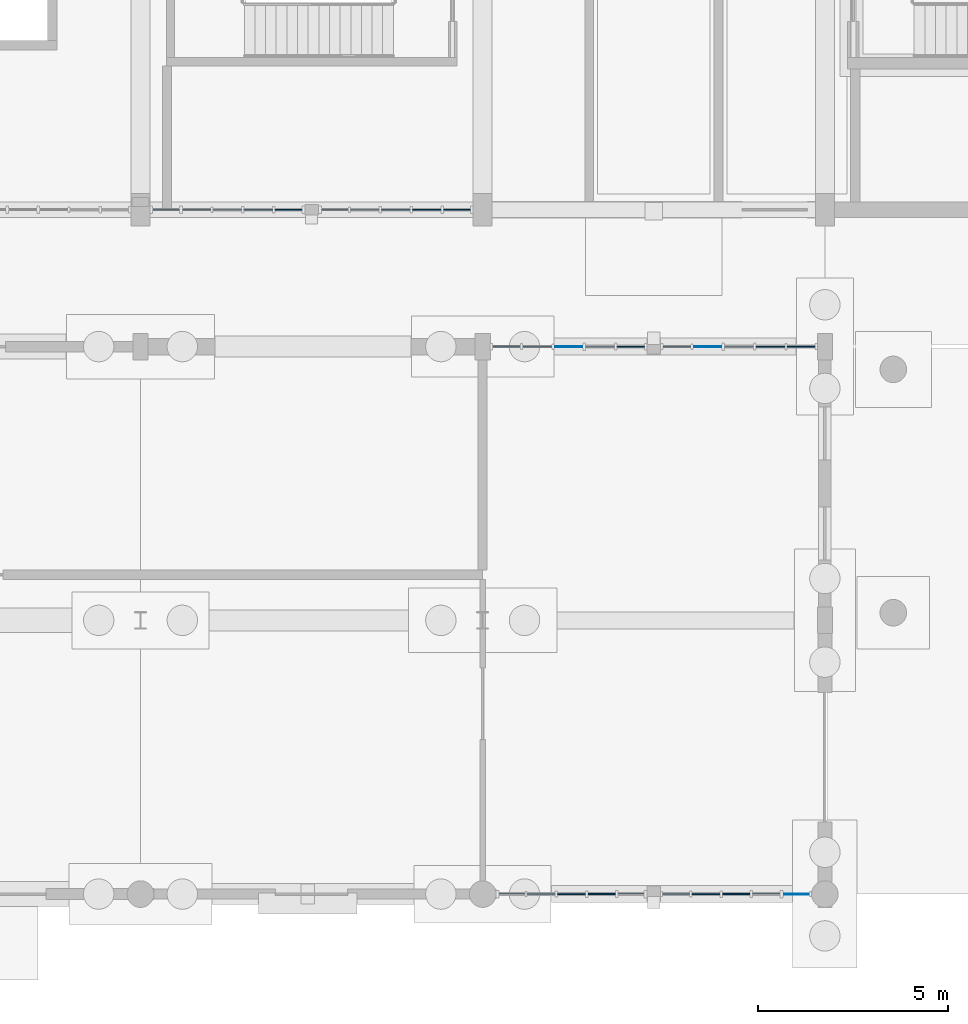
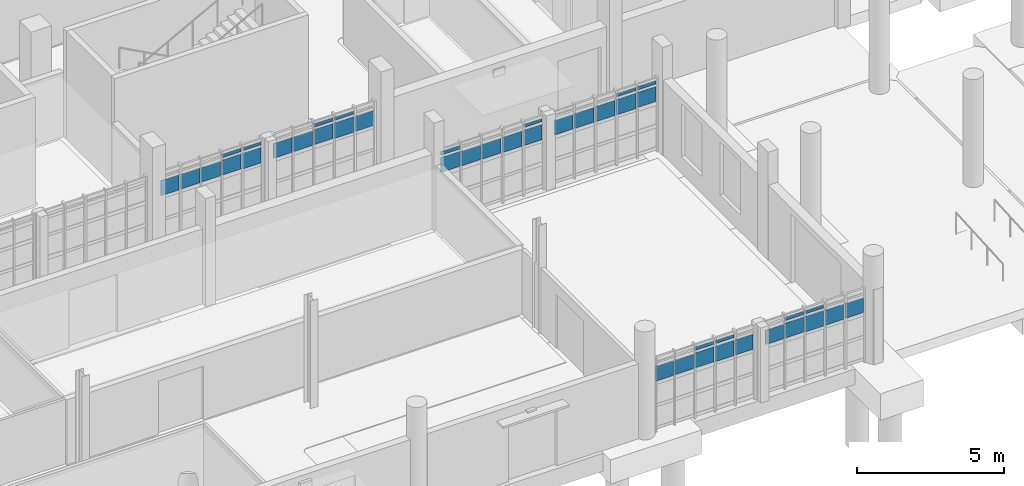
# One storey, part 40 of 63: 42 plates, 6 elements without a shape of their own.
"""IFC4 building model written with IfcOpenShell, lengths in metres."""

from ifc_helpers import new_model, si_unit, direction, frame, origin, origin_2d, place, context, subcontext, project, spatial, rectangle, extrude, material, layer, layer_set, type_object, element, aggregate, save


model = new_model("IFC4")

# Units and contexts
model_context = context("Model", 3, precision=1e-05, world=origin(), true_north=direction((0.0, 1.0)))
body_context = subcontext(model_context, "Body", "Model", "MODEL_VIEW")
ifc_project = project(units=[si_unit("LENGTHUNIT", "METRE"), si_unit("AREAUNIT", "SQUARE_METRE"), si_unit("VOLUMEUNIT", "CUBIC_METRE"), si_unit("PLANEANGLEUNIT", "RADIAN"), si_unit("MASSUNIT", "GRAM", prefix="KILO")], contexts=[model_context])

# Site, building, storey
site_placement = place(None, origin())
site = spatial("IfcSite", under=ifc_project, at=site_placement, CompositionType="ELEMENT")
building_placement = place(site_placement, origin())
building = spatial("IfcBuilding", under=site, at=building_placement, Name="Serraforn Aerial Cableway Station", CompositionType="ELEMENT")
storey_placement = place(building_placement, origin())
storey = spatial("IfcBuildingStorey", under=building, at=storey_placement, Name="L00", CompositionType="ELEMENT", Elevation=0.0)

# Curtain wall, plate
ifc_material_1 = material(Name="Anodised bronze unitised curtain wall")
curtain_wall_type_1 = type_object("IfcCurtainWallType", Name="CW-SYS-22", PredefinedType="USERDEFINED", material=ifc_material_1)
curtain_wall_1_placement = place(storey_placement, origin())
curtain_wall_1 = element("IfcCurtainWall", 1, at=curtain_wall_1_placement, inside=storey, type_object=curtain_wall_type_1, Name="Unitised Curtain Wall CW-CF-L00-S6B", ObjectType="UNITISED CURTAIN WALL", PredefinedType="USERDEFINED")
ifc_material_2 = material(Name="Solar-control low-E double glazing", Category="glass")
ifc_layer_1 = layer(ifc_material_2, 0.02587890625)
ifc_layer_set_1 = layer_set([ifc_layer_1], Name="Solar-control low-E double glazing")
plate_type_1 = type_object("IfcPlateType", Name="CW-GLZ-1", PredefinedType="CURTAIN_PANEL", material=ifc_layer_set_1)
plate_1_placement = place(storey_placement, frame((80.845947265625, 0.0, 2.062255859375), z_axis=(0.0, 0.0, 1.0), x_axis=(1.0, 0.0, 0.0)))
plate_1 = element("IfcPlate", 2, at=plate_1_placement, type_object=plate_type_1, Name="Curtain Wall Panel CW-CF-L00-S6B-P5-3", PredefinedType="CURTAIN_PANEL", context=body_context, shape_type="SweptSolid", body=[
    extrude(rectangle(XDim=0.705810546875, YDim=0.02587890625, at=origin_2d()), origin(), (0.0, 0.0, 1.0), 0.6103515625),
])

curtain_wall_type_2 = type_object("IfcCurtainWallType", Name="CW-SYS-23", PredefinedType="USERDEFINED", material=ifc_material_1)
curtain_wall_2_placement = place(storey_placement, origin())
curtain_wall_2 = element("IfcCurtainWall", 3, at=curtain_wall_2_placement, inside=storey, type_object=curtain_wall_type_2, Name="Unitised Curtain Wall CW-CF-L00-N6A", ObjectType="UNITISED CURTAIN WALL", PredefinedType="USERDEFINED")
plate_2_placement = place(storey_placement, frame((78.51171875, 14.39990234375, 2.062255859375), z_axis=(0.0, 0.0, 1.0), x_axis=(1.0, 0.0, 0.0)))
plate_2 = element("IfcPlate", 4, at=plate_2_placement, type_object=plate_type_1, Name="Curtain Wall Panel CW-CF-L00-N6A-P4-3", PredefinedType="CURTAIN_PANEL", context=body_context, shape_type="SweptSolid", body=[
    extrude(rectangle(XDim=0.763427734375, YDim=0.02587890625, at=origin_2d()), origin(), (0.0, 0.0, 1.0), 0.6103515625),
])

curtain_wall_type_3 = type_object("IfcCurtainWallType", Name="CW-SYS-24", PredefinedType="USERDEFINED", material=ifc_material_1)
curtain_wall_3_placement = place(storey_placement, origin())
curtain_wall_3 = element("IfcCurtainWall", 5, at=curtain_wall_3_placement, inside=storey, type_object=curtain_wall_type_3, Name="Unitised Curtain Wall CW-CF-L00-N6B", ObjectType="UNITISED CURTAIN WALL", PredefinedType="USERDEFINED")
plate_3_placement = place(storey_placement, frame((74.85400390625, 14.39990234375, 2.062255859375), z_axis=(0.0, 0.0, 1.0), x_axis=(1.0, 0.0, 0.0)))
plate_3 = element("IfcPlate", 6, at=plate_3_placement, type_object=plate_type_1, Name="Curtain Wall Panel CW-CF-L00-N6B-P3-3", PredefinedType="CURTAIN_PANEL", context=body_context, shape_type="SweptSolid", body=[
    extrude(rectangle(XDim=0.763427734375, YDim=0.02587890625, at=origin_2d()), origin(), (0.0, 0.0, 1.0), 0.6103515625),
])

# Plate
ifc_layer_2 = layer(ifc_material_2, 0.028076171875)
ifc_layer_set_2 = layer_set([ifc_layer_2], Name="Solar-control low-E double glazing")
plate_type_2 = type_object("IfcPlateType", Name="CW-GLZ-2", PredefinedType="CURTAIN_PANEL", material=ifc_layer_set_2)
plate_4_placement = place(storey_placement, frame((77.70849609375, 14.39990234375, 2.06982421875), z_axis=(0.0, 0.0, 1.0), x_axis=(1.0, 0.0, 0.0)))
plate_4 = element("IfcPlate", 7, at=plate_4_placement, type_object=plate_type_2, Name="Curtain Wall Panel CW-CF-L00-N6A-P5-3", PredefinedType="CURTAIN_PANEL", context=body_context, shape_type="SweptSolid", body=[
    extrude(rectangle(XDim=0.740966796875, YDim=0.028076171875, at=origin_2d()), origin(), (0.0, 0.0, 1.0), 0.59521484375),
])

plate_5_placement = place(storey_placement, frame((74.035888671875, 14.39990234375, 2.06982421875), z_axis=(0.0, 0.0, 1.0), x_axis=(1.0, 0.0, 0.0)))
plate_5 = element("IfcPlate", 8, at=plate_5_placement, type_object=plate_type_2, Name="Curtain Wall Panel CW-CF-L00-N6B-P4-3", PredefinedType="CURTAIN_PANEL", context=body_context, shape_type="SweptSolid", body=[
    extrude(rectangle(XDim=0.77099609375, YDim=0.028076171875, at=origin_2d()), origin(), (0.0, 0.0, 1.0), 0.59521484375),
])

# Curtain wall, plate
curtain_wall_type_4 = type_object("IfcCurtainWallType", Name="CW-SYS-7", PredefinedType="USERDEFINED", material=ifc_material_1)
curtain_wall_4_placement = place(storey_placement, origin())
curtain_wall_4 = element("IfcCurtainWall", 9, at=curtain_wall_4_placement, inside=storey, type_object=curtain_wall_type_4, Name="Unitised Curtain Wall CW-CV-L00-S5A", ObjectType="UNITISED CURTAIN WALL", PredefinedType="USERDEFINED")
plate_6_placement = place(storey_placement, frame((64.271484375, 18.0, 2.0546875), z_axis=(0.0, 0.0, 1.0), x_axis=(1.0, 0.0, 0.0)))
plate_6 = element("IfcPlate", 10, at=plate_6_placement, type_object=plate_type_2, Name="Curtain Wall Panel CW-CV-L00-S5A-P1-3", PredefinedType="CURTAIN_PANEL", context=body_context, shape_type="SweptSolid", body=[
    extrude(rectangle(XDim=0.7109375, YDim=0.028076171875, at=origin_2d()), origin(), (0.0, 0.0, 1.0), 0.625244140625),
])

# Plate
ifc_layer_3 = layer(ifc_material_2, 0.030029296875)
ifc_layer_set_3 = layer_set([ifc_layer_3], Name="Solar-control low-E double glazing")
plate_type_3 = type_object("IfcPlateType", Name="CW-GLZ-3", PredefinedType="CURTAIN_PANEL", material=ifc_layer_set_3)
plate_7_placement = place(storey_placement, frame((73.227783203125, 14.39990234375, 2.077392578125), z_axis=(0.0, 0.0, 1.0), x_axis=(1.0, 0.0, 0.0)))
plate_7 = element("IfcPlate", 11, at=plate_7_placement, type_object=plate_type_3, Name="Curtain Wall Panel CW-CF-L00-N6B-P5-3", PredefinedType="CURTAIN_PANEL", context=body_context, shape_type="SweptSolid", body=[
    extrude(rectangle(XDim=0.7333984375, YDim=0.030029296875, at=origin_2d()), origin(), (0.0, 0.0, 1.0), 0.615234375),
])

plate_8_placement = place(storey_placement, frame((65.07470703125, 18.0, 2.062255859375), z_axis=(0.0, 0.0, 1.0), x_axis=(1.0, 0.0, 0.0)))
plate_8 = element("IfcPlate", 12, at=plate_8_placement, type_object=plate_type_3, Name="Curtain Wall Panel CW-CV-L00-S5A-P2-3", PredefinedType="CURTAIN_PANEL", context=body_context, shape_type="SweptSolid", body=[
    extrude(rectangle(XDim=0.75341796875, YDim=0.030029296875, at=origin_2d()), origin(), (0.0, 0.0, 1.0), 0.6103515625),
])

# Curtain wall, plate
curtain_wall_type_5 = type_object("IfcCurtainWallType", Name="CW-SYS-8", PredefinedType="USERDEFINED", material=ifc_material_1)
curtain_wall_5_placement = place(storey_placement, origin())
curtain_wall_5 = element("IfcCurtainWall", 13, at=curtain_wall_5_placement, inside=storey, type_object=curtain_wall_type_5, Name="Unitised Curtain Wall CW-CV-L00-S5B", ObjectType="UNITISED CURTAIN WALL", PredefinedType="USERDEFINED")
plate_9_placement = place(storey_placement, frame((68.7109375, 18.0, 2.062255859375), z_axis=(0.0, 0.0, 1.0), x_axis=(1.0, 0.0, 0.0)))
plate_9 = element("IfcPlate", 14, at=plate_9_placement, type_object=plate_type_3, Name="Curtain Wall Panel CW-CV-L00-S5B-P1-3", PredefinedType="CURTAIN_PANEL", context=body_context, shape_type="SweptSolid", body=[
    extrude(rectangle(XDim=0.7158203125, YDim=0.030029296875, at=origin_2d()), origin(), (0.0, 0.0, 1.0), 0.6103515625),
])

curtain_wall_type_6 = type_object("IfcCurtainWallType", Name="CW-SYS-21", PredefinedType="USERDEFINED", material=ifc_material_1)
curtain_wall_6_placement = place(storey_placement, origin())
curtain_wall_6 = element("IfcCurtainWall", 15, at=curtain_wall_6_placement, inside=storey, type_object=curtain_wall_type_6, Name="Unitised Curtain Wall CW-CF-L00-S6A", ObjectType="UNITISED CURTAIN WALL", PredefinedType="USERDEFINED")
ifc_layer_4 = layer(ifc_material_2, 0.031982421875)
ifc_layer_set_4 = layer_set([ifc_layer_4], Name="Solar-control low-E double glazing")
plate_type_4 = type_object("IfcPlateType", Name="CW-GLZ-4", PredefinedType="CURTAIN_PANEL", material=ifc_layer_set_4)
plate_10_placement = place(storey_placement, frame((73.368896484375, 0.0, 2.062255859375), z_axis=(0.0, 0.0, 1.0), x_axis=(1.0, 0.0, 0.0)))
plate_10 = element("IfcPlate", 16, at=plate_10_placement, type_object=plate_type_4, Name="Curtain Wall Panel CW-CF-L00-S6A-P1-3", PredefinedType="CURTAIN_PANEL", context=body_context, shape_type="SweptSolid", body=[
    extrude(rectangle(XDim=0.69580078125, YDim=0.031982421875, at=origin_2d()), origin(), (0.0, 0.0, 1.0), 0.6103515625),
])

# Plate
plate_11_placement = place(storey_placement, frame((73.227783203125, 14.39990234375, 2.798583984375), z_axis=(0.0, 0.0, 1.0), x_axis=(1.0, 0.0, 0.0)))
plate_11 = element("IfcPlate", 17, at=plate_11_placement, type_object=plate_type_4, Name="Curtain Wall Panel CW-CF-L00-N6B-P5-4", PredefinedType="CURTAIN_PANEL", context=body_context, shape_type="SweptSolid", body=[
    extrude(rectangle(XDim=0.7333984375, YDim=0.031982421875, at=origin_2d()), origin(), (0.0, 0.0, 1.0), 0.138671875),
])

plate_12_placement = place(storey_placement, frame((65.8828125, 18.0, 2.06982421875), z_axis=(0.0, 0.0, 1.0), x_axis=(1.0, 0.0, 0.0)))
plate_12 = element("IfcPlate", 18, at=plate_12_placement, type_object=plate_type_4, Name="Curtain Wall Panel CW-CV-L00-S5A-P3-3", PredefinedType="CURTAIN_PANEL", context=body_context, shape_type="SweptSolid", body=[
    extrude(rectangle(XDim=0.760986328125, YDim=0.031982421875, at=origin_2d()), origin(), (0.0, 0.0, 1.0), 0.59521484375),
])

plate_13_placement = place(storey_placement, frame((69.500244140625, 18.0, 2.06982421875), z_axis=(0.0, 0.0, 1.0), x_axis=(1.0, 0.0, 0.0)))
plate_13 = element("IfcPlate", 19, at=plate_13_placement, type_object=plate_type_4, Name="Curtain Wall Panel CW-CV-L00-S5B-P2-3", PredefinedType="CURTAIN_PANEL", context=body_context, shape_type="SweptSolid", body=[
    extrude(rectangle(XDim=0.760986328125, YDim=0.031982421875, at=origin_2d()), origin(), (0.0, 0.0, 1.0), 0.59521484375),
])

ifc_layer_5 = layer(ifc_material_2, 0.033935546875)
ifc_layer_set_5 = layer_set([ifc_layer_5], Name="Solar-control low-E double glazing")
plate_type_5 = type_object("IfcPlateType", Name="CW-GLZ-5", PredefinedType="CURTAIN_PANEL", material=ifc_layer_set_5)
plate_14_placement = place(storey_placement, frame((74.138427734375, 0.0, 2.06982421875), z_axis=(0.0, 0.0, 1.0), x_axis=(1.0, 0.0, 0.0)))
plate_14 = element("IfcPlate", 20, at=plate_14_placement, type_object=plate_type_5, Name="Curtain Wall Panel CW-CF-L00-S6A-P2-3", PredefinedType="CURTAIN_PANEL", context=body_context, shape_type="SweptSolid", body=[
    extrude(rectangle(XDim=0.740966796875, YDim=0.033935546875, at=origin_2d()), origin(), (0.0, 0.0, 1.0), 0.59521484375),
])

plate_15_placement = place(storey_placement, frame((77.689697265625, 0.0, 2.06982421875), z_axis=(0.0, 0.0, 1.0), x_axis=(1.0, 0.0, 0.0)))
plate_15 = element("IfcPlate", 21, at=plate_15_placement, type_object=plate_type_5, Name="Curtain Wall Panel CW-CF-L00-S6B-P1-3", PredefinedType="CURTAIN_PANEL", context=body_context, shape_type="SweptSolid", body=[
    extrude(rectangle(XDim=0.71337890625, YDim=0.033935546875, at=origin_2d()), origin(), (0.0, 0.0, 1.0), 0.59521484375),
])

plate_16_placement = place(storey_placement, frame((66.697021484375, 18.0, 2.077392578125), z_axis=(0.0, 0.0, 1.0), x_axis=(1.0, 0.0, 0.0)))
plate_16 = element("IfcPlate", 22, at=plate_16_placement, type_object=plate_type_5, Name="Curtain Wall Panel CW-CV-L00-S5A-P4-3", PredefinedType="CURTAIN_PANEL", context=body_context, shape_type="SweptSolid", body=[
    extrude(rectangle(XDim=0.755859375, YDim=0.033935546875, at=origin_2d()), origin(), (0.0, 0.0, 1.0), 0.615234375),
])

plate_17_placement = place(storey_placement, frame((70.314697265625, 18.0, 2.077392578125), z_axis=(0.0, 0.0, 1.0), x_axis=(1.0, 0.0, 0.0)))
plate_17 = element("IfcPlate", 23, at=plate_17_placement, type_object=plate_type_5, Name="Curtain Wall Panel CW-CV-L00-S5B-P3-3", PredefinedType="CURTAIN_PANEL", context=body_context, shape_type="SweptSolid", body=[
    extrude(rectangle(XDim=0.755859375, YDim=0.033935546875, at=origin_2d()), origin(), (0.0, 0.0, 1.0), 0.615234375),
])

ifc_layer_6 = layer(ifc_material_2, 0.035888671875)
ifc_layer_set_6 = layer_set([ifc_layer_6], Name="Solar-control low-E double glazing")
plate_type_6 = type_object("IfcPlateType", Name="CW-GLZ-6", PredefinedType="CURTAIN_PANEL", material=ifc_layer_set_6)
plate_18_placement = place(storey_placement, frame((74.9326171875, 0.0, 2.077392578125), z_axis=(0.0, 0.0, 1.0), x_axis=(1.0, 0.0, 0.0)))
plate_18 = element("IfcPlate", 24, at=plate_18_placement, type_object=plate_type_6, Name="Curtain Wall Panel CW-CF-L00-S6A-P3-3", PredefinedType="CURTAIN_PANEL", context=body_context, shape_type="SweptSolid", body=[
    extrude(rectangle(XDim=0.73583984375, YDim=0.035888671875, at=origin_2d()), origin(), (0.0, 0.0, 1.0), 0.615234375),
])

plate_19_placement = place(storey_placement, frame((78.47021484375, 0.0, 2.077392578125), z_axis=(0.0, 0.0, 1.0), x_axis=(1.0, 0.0, 0.0)))
plate_19 = element("IfcPlate", 25, at=plate_19_placement, type_object=plate_type_6, Name="Curtain Wall Panel CW-CF-L00-S6B-P2-3", PredefinedType="CURTAIN_PANEL", context=body_context, shape_type="SweptSolid", body=[
    extrude(rectangle(XDim=0.73583984375, YDim=0.035888671875, at=origin_2d()), origin(), (0.0, 0.0, 1.0), 0.615234375),
])

plate_20_placement = place(storey_placement, frame((80.97607421875, 14.39990234375, 2.077392578125), z_axis=(0.0, 0.0, 1.0), x_axis=(1.0, 0.0, 0.0)))
plate_20 = element("IfcPlate", 26, at=plate_20_placement, type_object=plate_type_6, Name="Curtain Wall Panel CW-CF-L00-N6A-P1-3", PredefinedType="CURTAIN_PANEL", context=body_context, shape_type="SweptSolid", body=[
    extrude(rectangle(XDim=0.73583984375, YDim=0.035888671875, at=origin_2d()), origin(), (0.0, 0.0, 1.0), 0.615234375),
])

plate_21_placement = place(storey_placement, frame((66.697021484375, 18.0, 2.798583984375), z_axis=(0.0, 0.0, 1.0), x_axis=(1.0, 0.0, 0.0)))
plate_21 = element("IfcPlate", 27, at=plate_21_placement, type_object=plate_type_6, Name="Curtain Wall Panel CW-CV-L00-S5A-P4-4", PredefinedType="CURTAIN_PANEL", context=body_context, shape_type="SweptSolid", body=[
    extrude(rectangle(XDim=0.755859375, YDim=0.035888671875, at=origin_2d()), origin(), (0.0, 0.0, 1.0), 0.138671875),
])

plate_22_placement = place(storey_placement, frame((67.494140625, 18.0, 2.0498046875), z_axis=(0.0, 0.0, 1.0), x_axis=(1.0, 0.0, 0.0)))
plate_22 = element("IfcPlate", 28, at=plate_22_placement, type_object=plate_type_6, Name="Curtain Wall Panel CW-CV-L00-S5A-P5-3", PredefinedType="CURTAIN_PANEL", context=body_context, shape_type="SweptSolid", body=[
    extrude(rectangle(XDim=0.7158203125, YDim=0.035888671875, at=origin_2d()), origin(), (0.0, 0.0, 1.0), 0.6376953125),
])

plate_23_placement = place(storey_placement, frame((70.314697265625, 18.0, 2.798583984375), z_axis=(0.0, 0.0, 1.0), x_axis=(1.0, 0.0, 0.0)))
plate_23 = element("IfcPlate", 29, at=plate_23_placement, type_object=plate_type_6, Name="Curtain Wall Panel CW-CV-L00-S5B-P3-4", PredefinedType="CURTAIN_PANEL", context=body_context, shape_type="SweptSolid", body=[
    extrude(rectangle(XDim=0.755859375, YDim=0.035888671875, at=origin_2d()), origin(), (0.0, 0.0, 1.0), 0.138671875),
])

plate_24_placement = place(storey_placement, frame((71.129150390625, 18.0, 2.0498046875), z_axis=(0.0, 0.0, 1.0), x_axis=(1.0, 0.0, 0.0)))
plate_24 = element("IfcPlate", 30, at=plate_24_placement, type_object=plate_type_6, Name="Curtain Wall Panel CW-CV-L00-S5B-P4-3", PredefinedType="CURTAIN_PANEL", context=body_context, shape_type="SweptSolid", body=[
    extrude(rectangle(XDim=0.7509765625, YDim=0.035888671875, at=origin_2d()), origin(), (0.0, 0.0, 1.0), 0.6376953125),
])

ifc_layer_7 = layer(ifc_material_2, 0.029052734375)
ifc_layer_set_7 = layer_set([ifc_layer_7], Name="Solar-control low-E double glazing")
plate_type_7 = type_object("IfcPlateType", Name="CW-GLZ-7", PredefinedType="CURTAIN_PANEL", material=ifc_layer_set_7)
plate_25_placement = place(storey_placement, frame((74.9326171875, 0.0, 2.798583984375), z_axis=(0.0, 0.0, 1.0), x_axis=(1.0, 0.0, 0.0)))
plate_25 = element("IfcPlate", 31, at=plate_25_placement, type_object=plate_type_7, Name="Curtain Wall Panel CW-CF-L00-S6A-P3-4", PredefinedType="CURTAIN_PANEL", context=body_context, shape_type="SweptSolid", body=[
    extrude(rectangle(XDim=0.73583984375, YDim=0.029052734375, at=origin_2d()), origin(), (0.0, 0.0, 1.0), 0.138671875),
])

plate_26_placement = place(storey_placement, frame((75.72705078125, 0.0, 2.0498046875), z_axis=(0.0, 0.0, 1.0), x_axis=(1.0, 0.0, 0.0)))
plate_26 = element("IfcPlate", 32, at=plate_26_placement, type_object=plate_type_7, Name="Curtain Wall Panel CW-CF-L00-S6A-P4-3", PredefinedType="CURTAIN_PANEL", context=body_context, shape_type="SweptSolid", body=[
    extrude(rectangle(XDim=0.73095703125, YDim=0.029052734375, at=origin_2d()), origin(), (0.0, 0.0, 1.0), 0.6376953125),
])

plate_27_placement = place(storey_placement, frame((78.47021484375, 0.0, 2.798583984375), z_axis=(0.0, 0.0, 1.0), x_axis=(1.0, 0.0, 0.0)))
plate_27 = element("IfcPlate", 33, at=plate_27_placement, type_object=plate_type_7, Name="Curtain Wall Panel CW-CF-L00-S6B-P2-4", PredefinedType="CURTAIN_PANEL", context=body_context, shape_type="SweptSolid", body=[
    extrude(rectangle(XDim=0.73583984375, YDim=0.029052734375, at=origin_2d()), origin(), (0.0, 0.0, 1.0), 0.138671875),
])

plate_28_placement = place(storey_placement, frame((79.2646484375, 0.0, 2.0498046875), z_axis=(0.0, 0.0, 1.0), x_axis=(1.0, 0.0, 0.0)))
plate_28 = element("IfcPlate", 34, at=plate_28_placement, type_object=plate_type_7, Name="Curtain Wall Panel CW-CF-L00-S6B-P3-3", PredefinedType="CURTAIN_PANEL", context=body_context, shape_type="SweptSolid", body=[
    extrude(rectangle(XDim=0.73095703125, YDim=0.029052734375, at=origin_2d()), origin(), (0.0, 0.0, 1.0), 0.6376953125),
])

plate_29_placement = place(storey_placement, frame((80.97607421875, 14.39990234375, 2.798583984375), z_axis=(0.0, 0.0, 1.0), x_axis=(1.0, 0.0, 0.0)))
plate_29 = element("IfcPlate", 35, at=plate_29_placement, type_object=plate_type_7, Name="Curtain Wall Panel CW-CF-L00-N6A-P1-4", PredefinedType="CURTAIN_PANEL", context=body_context, shape_type="SweptSolid", body=[
    extrude(rectangle(XDim=0.73583984375, YDim=0.029052734375, at=origin_2d()), origin(), (0.0, 0.0, 1.0), 0.138671875),
])

plate_30_placement = place(storey_placement, frame((80.166748046875, 14.39990234375, 2.0498046875), z_axis=(0.0, 0.0, 1.0), x_axis=(1.0, 0.0, 0.0)))
plate_30 = element("IfcPlate", 36, at=plate_30_placement, type_object=plate_type_7, Name="Curtain Wall Panel CW-CF-L00-N6A-P2-3", PredefinedType="CURTAIN_PANEL", context=body_context, shape_type="SweptSolid", body=[
    extrude(rectangle(XDim=0.760986328125, YDim=0.029052734375, at=origin_2d()), origin(), (0.0, 0.0, 1.0), 0.6376953125),
])

plate_31_placement = place(storey_placement, frame((76.492919921875, 14.39990234375, 2.0498046875), z_axis=(0.0, 0.0, 1.0), x_axis=(1.0, 0.0, 0.0)))
plate_31 = element("IfcPlate", 37, at=plate_31_placement, type_object=plate_type_7, Name="Curtain Wall Panel CW-CF-L00-N6B-P1-3", PredefinedType="CURTAIN_PANEL", context=body_context, shape_type="SweptSolid", body=[
    extrude(rectangle(XDim=0.728515625, YDim=0.029052734375, at=origin_2d()), origin(), (0.0, 0.0, 1.0), 0.6376953125),
])

plate_32_placement = place(storey_placement, frame((67.494140625, 18.0, 2.8037109375), z_axis=(0.0, 0.0, 1.0), x_axis=(1.0, 0.0, 0.0)))
plate_32 = element("IfcPlate", 38, at=plate_32_placement, type_object=plate_type_7, Name="Curtain Wall Panel CW-CV-L00-S5A-P5-4", PredefinedType="CURTAIN_PANEL", context=body_context, shape_type="SweptSolid", body=[
    extrude(rectangle(XDim=0.7158203125, YDim=0.029052734375, at=origin_2d()), origin(), (0.0, 0.0, 1.0), 0.126220703125),
])

aggregate(curtain_wall_4, [plate_6, plate_8, plate_12, plate_16, plate_21, plate_22, plate_32])

plate_33_placement = place(storey_placement, frame((71.129150390625, 18.0, 2.8037109375), z_axis=(0.0, 0.0, 1.0), x_axis=(1.0, 0.0, 0.0)))
plate_33 = element("IfcPlate", 39, at=plate_33_placement, type_object=plate_type_7, Name="Curtain Wall Panel CW-CV-L00-S5B-P4-4", PredefinedType="CURTAIN_PANEL", context=body_context, shape_type="SweptSolid", body=[
    extrude(rectangle(XDim=0.7509765625, YDim=0.029052734375, at=origin_2d()), origin(), (0.0, 0.0, 1.0), 0.126220703125),
])

plate_34_placement = place(storey_placement, frame((71.9248046875, 18.0, 2.0546875), z_axis=(0.0, 0.0, 1.0), x_axis=(1.0, 0.0, 0.0)))
plate_34 = element("IfcPlate", 40, at=plate_34_placement, type_object=plate_type_7, Name="Curtain Wall Panel CW-CV-L00-S5B-P5-3", PredefinedType="CURTAIN_PANEL", context=body_context, shape_type="SweptSolid", body=[
    extrude(rectangle(XDim=0.70849609375, YDim=0.029052734375, at=origin_2d()), origin(), (0.0, 0.0, 1.0), 0.625244140625),
])

aggregate(curtain_wall_5, [plate_9, plate_13, plate_17, plate_23, plate_24, plate_33, plate_34])

ifc_layer_8 = layer(ifc_material_2, 0.031005859375)
ifc_layer_set_8 = layer_set([ifc_layer_8], Name="Solar-control low-E double glazing")
plate_type_8 = type_object("IfcPlateType", Name="CW-GLZ-8", PredefinedType="CURTAIN_PANEL", material=ifc_layer_set_8)
plate_35_placement = place(storey_placement, frame((75.72705078125, 0.0, 2.8037109375), z_axis=(0.0, 0.0, 1.0), x_axis=(1.0, 0.0, 0.0)))
plate_35 = element("IfcPlate", 41, at=plate_35_placement, type_object=plate_type_8, Name="Curtain Wall Panel CW-CF-L00-S6A-P4-4", PredefinedType="CURTAIN_PANEL", context=body_context, shape_type="SweptSolid", body=[
    extrude(rectangle(XDim=0.73095703125, YDim=0.031005859375, at=origin_2d()), origin(), (0.0, 0.0, 1.0), 0.126220703125),
])

plate_36_placement = place(storey_placement, frame((76.502685546875, 0.0, 2.0546875), z_axis=(0.0, 0.0, 1.0), x_axis=(1.0, 0.0, 0.0)))
plate_36 = element("IfcPlate", 42, at=plate_36_placement, type_object=plate_type_8, Name="Curtain Wall Panel CW-CF-L00-S6A-P5-3", PredefinedType="CURTAIN_PANEL", context=body_context, shape_type="SweptSolid", body=[
    extrude(rectangle(XDim=0.6884765625, YDim=0.031005859375, at=origin_2d()), origin(), (0.0, 0.0, 1.0), 0.625244140625),
])

aggregate(curtain_wall_6, [plate_10, plate_14, plate_18, plate_25, plate_26, plate_35, plate_36])

plate_37_placement = place(storey_placement, frame((79.2646484375, 0.0, 2.8037109375), z_axis=(0.0, 0.0, 1.0), x_axis=(1.0, 0.0, 0.0)))
plate_37 = element("IfcPlate", 43, at=plate_37_placement, type_object=plate_type_8, Name="Curtain Wall Panel CW-CF-L00-S6B-P3-4", PredefinedType="CURTAIN_PANEL", context=body_context, shape_type="SweptSolid", body=[
    extrude(rectangle(XDim=0.73095703125, YDim=0.031005859375, at=origin_2d()), origin(), (0.0, 0.0, 1.0), 0.126220703125),
])

plate_38_placement = place(storey_placement, frame((80.05908203125, 0.0, 2.0546875), z_axis=(0.0, 0.0, 1.0), x_axis=(1.0, 0.0, 0.0)))
plate_38 = element("IfcPlate", 44, at=plate_38_placement, type_object=plate_type_8, Name="Curtain Wall Panel CW-CF-L00-S6B-P4-3", PredefinedType="CURTAIN_PANEL", context=body_context, shape_type="SweptSolid", body=[
    extrude(rectangle(XDim=0.725830078125, YDim=0.031005859375, at=origin_2d()), origin(), (0.0, 0.0, 1.0), 0.625244140625),
])

aggregate(curtain_wall_1, [plate_15, plate_19, plate_27, plate_28, plate_37, plate_38, plate_1])

plate_39_placement = place(storey_placement, frame((80.166748046875, 14.39990234375, 2.8037109375), z_axis=(0.0, 0.0, 1.0), x_axis=(1.0, 0.0, 0.0)))
plate_39 = element("IfcPlate", 45, at=plate_39_placement, type_object=plate_type_8, Name="Curtain Wall Panel CW-CF-L00-N6A-P2-4", PredefinedType="CURTAIN_PANEL", context=body_context, shape_type="SweptSolid", body=[
    extrude(rectangle(XDim=0.760986328125, YDim=0.031005859375, at=origin_2d()), origin(), (0.0, 0.0, 1.0), 0.126220703125),
])

plate_40_placement = place(storey_placement, frame((79.34228515625, 14.39990234375, 2.0546875), z_axis=(0.0, 0.0, 1.0), x_axis=(1.0, 0.0, 0.0)))
plate_40 = element("IfcPlate", 46, at=plate_40_placement, type_object=plate_type_8, Name="Curtain Wall Panel CW-CF-L00-N6A-P3-3", PredefinedType="CURTAIN_PANEL", context=body_context, shape_type="SweptSolid", body=[
    extrude(rectangle(XDim=0.755859375, YDim=0.031005859375, at=origin_2d()), origin(), (0.0, 0.0, 1.0), 0.625244140625),
])

aggregate(curtain_wall_2, [plate_20, plate_29, plate_30, plate_39, plate_40, plate_2, plate_4])

plate_41_placement = place(storey_placement, frame((76.492919921875, 14.39990234375, 2.8037109375), z_axis=(0.0, 0.0, 1.0), x_axis=(1.0, 0.0, 0.0)))
plate_41 = element("IfcPlate", 47, at=plate_41_placement, type_object=plate_type_8, Name="Curtain Wall Panel CW-CF-L00-N6B-P1-4", PredefinedType="CURTAIN_PANEL", context=body_context, shape_type="SweptSolid", body=[
    extrude(rectangle(XDim=0.728515625, YDim=0.031005859375, at=origin_2d()), origin(), (0.0, 0.0, 1.0), 0.126220703125),
])

plate_42_placement = place(storey_placement, frame((75.684814453125, 14.39990234375, 2.0546875), z_axis=(0.0, 0.0, 1.0), x_axis=(1.0, 0.0, 0.0)))
plate_42 = element("IfcPlate", 48, at=plate_42_placement, type_object=plate_type_8, Name="Curtain Wall Panel CW-CF-L00-N6B-P2-3", PredefinedType="CURTAIN_PANEL", context=body_context, shape_type="SweptSolid", body=[
    extrude(rectangle(XDim=0.755859375, YDim=0.031005859375, at=origin_2d()), origin(), (0.0, 0.0, 1.0), 0.625244140625),
])

aggregate(curtain_wall_3, [plate_31, plate_41, plate_42, plate_3, plate_5, plate_7, plate_11])

save(model, "model.ifc")
